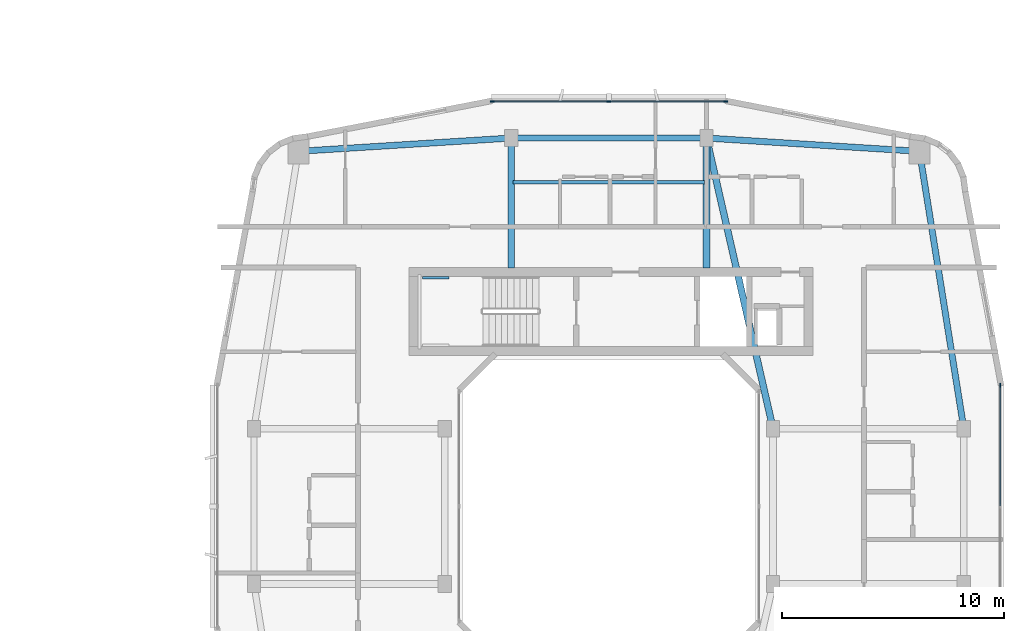
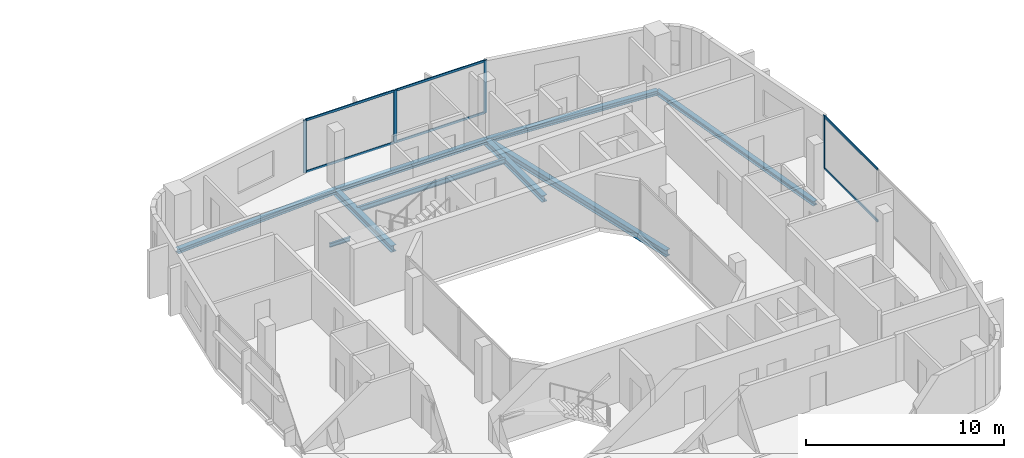
# One storey, part 9 of 26: 10 members, 9 beams, 2 elements without a shape of their own.
"""IFC4 building model written with IfcOpenShell, lengths in metres."""

import ifcopenshell
import ifcopenshell.guid

model = None  # the IFC model being written
_history = None  # IfcOwnerHistory: only IFC2X3 demands one
_inside = {}  # id of a spatial element -> (the spatial element, [elements in it])
_under = {}  # id of a project, library or spatial element -> (it, [spatial elements below it])
_declared = {}  # id of a project -> (the project, [libraries it declares])
_typed = {}  # id of a type object -> (the type object, [elements of that type])
_made_of = {}  # id of a material, layer set ... -> (it, [elements and type objects made of it])


def new_model(schema):
    """Start an empty IFC model of exactly this schema.

    Asked for "IFC4X3", IfcOpenShell would pick the latest addendum, in which some entities
    have other attributes; the version numbers below select the first issue.
    IFC2X3 requires an IfcOwnerHistory on every rooted entity: one is made here for all.
    """
    global model, _history
    if schema == "IFC4X3":
        model = ifcopenshell.file(schema_version=(4, 3, 0, 0))
    else:
        model = ifcopenshell.file(schema=schema)
    _inside.clear()
    _under.clear()
    _declared.clear()
    _typed.clear()
    _made_of.clear()
    _history = None
    if model.schema == "IFC2X3":
        org = make("IfcOrganization", Name="unknown")
        user = make(
            "IfcPersonAndOrganization",
            ThePerson=make("IfcPerson", FamilyName="unknown"),
            TheOrganization=org,
        )
        app = make(
            "IfcApplication",
            ApplicationDeveloper=org,
            Version="unknown",
            ApplicationFullName="unknown",
            ApplicationIdentifier="unknown",
        )
        _history = make(
            "IfcOwnerHistory",
            OwningUser=user,
            OwningApplication=app,
            ChangeAction="ADDED",
            CreationDate=0,
        )
    return model


def make(cls, **values):
    """One entity of the class cls with the attributes given. An attribute that is None is left unset."""
    return model.create_entity(
        cls, **{name: value for name, value in values.items() if value is not None}
    )


def rooted(cls, **values):
    """An entity with a GlobalId (a new one), such as an element, a storey or a relation."""
    return make(cls, GlobalId=ifcopenshell.guid.new(), OwnerHistory=_history, **values)


def si_unit(unit_type, name, prefix=None):
    """IfcSIUnit, for example si_unit("LENGTHUNIT", "METRE", prefix="MILLI")."""
    return make("IfcSIUnit", UnitType=unit_type, Prefix=prefix, Name=name)


def derived_unit(unit_type, elements):
    """IfcDerivedUnit: a product of units, each with its exponent."""
    return make(
        "IfcDerivedUnit",
        Elements=[
            make("IfcDerivedUnitElement", Unit=unit, Exponent=power)
            for unit, power in elements
        ],
        UnitType=unit_type,
    )


def assignment(units):
    """IfcUnitAssignment: the units of a project."""
    return None if units is None else make("IfcUnitAssignment", Units=units)


def point(xyz):
    """IfcCartesianPoint."""
    return None if xyz is None else make("IfcCartesianPoint", Coordinates=xyz)


def direction(xyz):
    """IfcDirection."""
    return None if xyz is None else make("IfcDirection", DirectionRatios=xyz)


def frame(location, z_axis=None, x_axis=None):
    """IfcAxis2Placement3D, a coordinate frame: its origin and axes. An axis left out is left unset."""
    return make(
        "IfcAxis2Placement3D",
        Location=point(location),
        Axis=direction(z_axis),
        RefDirection=direction(x_axis),
    )


def frame_2d(location, x_axis=None):
    """IfcAxis2Placement2D, a coordinate frame in the plane: its origin and x axis."""
    return make(
        "IfcAxis2Placement2D", Location=point(location), RefDirection=direction(x_axis)
    )


def origin():
    """The frame at (0, 0, 0) with its axes left unset."""
    return frame((0.0, 0.0, 0.0))


def origin_2d():
    """The frame at (0, 0) in the plane with its x axis left unset."""
    return frame_2d((0.0, 0.0))


def place(relative_to, where):
    """IfcLocalPlacement: puts the frame where relative to a parent placement (None: the world)."""
    return make(
        "IfcLocalPlacement", PlacementRelTo=relative_to, RelativePlacement=where
    )


def context(
    kind, dimensions, precision=None, world=None, true_north=None, identifier=None
):
    """IfcGeometricRepresentationContext, for example the 3D "Model" context."""
    return make(
        "IfcGeometricRepresentationContext",
        ContextIdentifier=identifier,
        ContextType=kind,
        CoordinateSpaceDimension=dimensions,
        Precision=precision,
        WorldCoordinateSystem=world,
        TrueNorth=true_north,
    )


def subcontext(parent, identifier, kind, view, scale=None):
    """IfcGeometricRepresentationSubContext, for example "Body" below "Model"."""
    return make(
        "IfcGeometricRepresentationSubContext",
        ContextIdentifier=identifier,
        ContextType=kind,
        ParentContext=parent,
        TargetScale=scale,
        TargetView=view,
    )


def project(units=None, contexts=None):
    """IfcProject with its units and contexts."""
    return rooted(
        "IfcProject",
        Name="project",
        RepresentationContexts=contexts,
        UnitsInContext=assignment(units),
    )


def spatial(cls, under=None, at=None, **own):
    """A site, building, storey or space (cls), placed at a placement, below another one or the project."""
    s = rooted(cls, ObjectPlacement=at, **own)
    if under is not None:
        _under.setdefault(under.id(), (under, []))[1].append(s)
    return s


def profile(cls, at=None, kind="AREA", **sizes):
    """A parametric profile (cls). Its sizes go by their IFC names, for example OverallWidth=200.0."""
    return make(cls, ProfileType=kind, Position=at, **sizes)


def rectangle(**sizes):
    """IfcRectangleProfileDef."""
    return profile("IfcRectangleProfileDef", **sizes)


def i_section(**sizes):
    """IfcIShapeProfileDef."""
    return profile("IfcIShapeProfileDef", **sizes)


def extrude(swept, where, along, depth):
    """IfcExtrudedAreaSolid: the profile swept, set in the frame where, extruded along a direction by depth."""
    return make(
        "IfcExtrudedAreaSolid",
        SweptArea=swept,
        Position=where,
        ExtrudedDirection=direction(along),
        Depth=depth,
    )


def shape(context_of_items, identifier, shape_type, items):
    """IfcShapeRepresentation: the items that make up one representation, for example the "Body"."""
    return make(
        "IfcShapeRepresentation",
        ContextOfItems=context_of_items,
        RepresentationIdentifier=identifier,
        RepresentationType=shape_type,
        Items=items,
    )


def material(Name=None, Category=None):
    """IfcMaterial."""
    return make("IfcMaterial", Name=Name, Category=Category)


def layer(
    of_material, thickness, ventilated=None, Name=None, Category=None, Priority=None
):
    """IfcMaterialLayer: one layer of a wall or slab, of a material (None: an air gap)."""
    return make(
        "IfcMaterialLayer",
        Material=of_material,
        LayerThickness=thickness,
        IsVentilated=ventilated,
        Name=Name,
        Category=Category,
        Priority=Priority,
    )


def layer_set(layers, Name=None):
    """IfcMaterialLayerSet."""
    return make("IfcMaterialLayerSet", MaterialLayers=layers, LayerSetName=Name)


def material_profile(
    of_material, cross_section, Name=None, Category=None, Priority=None
):
    """IfcMaterialProfile: a cross section and its material."""
    return make(
        "IfcMaterialProfile",
        Name=Name,
        Material=of_material,
        Profile=cross_section,
        Priority=Priority,
        Category=Category,
    )


def profile_set(profiles, Name=None, composite=None):
    """IfcMaterialProfileSet."""
    return make(
        "IfcMaterialProfileSet",
        Name=Name,
        MaterialProfiles=profiles,
        CompositeProfile=composite,
    )


def made_of(thing, what):
    """Note that an element or type object is made of a material, layer set ...; save() writes the relation."""
    if what is not None:
        _made_of.setdefault(what.id(), (what, []))[1].append(thing)
    return thing


def type_object(cls, material=None, **own):
    """A type object (cls), such as IfcWallType, which elements share."""
    return made_of(rooted(cls, **own), material)


def element(
    cls,
    number,
    at=None,
    inside=None,
    cuts=None,
    type_object=None,
    material=None,
    context=None,
    identifier="Body",
    shape_type=None,
    held_by="IfcProductDefinitionShape",
    body=None,
    shapes=None,
    **own,
):
    """One element of the class cls, such as IfcWall. Its Tag is "e" and its number.

    at: its placement. inside: the storey or other place that contains it. cuts: it is an
    opening in that element (IfcRelVoidsElement). A single representation is given by context,
    identifier, shape_type and body (its items); several are given by shapes. held_by: the class
    of the entity that holds the representations. save() writes the other relations.
    """
    e = rooted(cls, Tag="e%d" % number, ObjectPlacement=at, **own)
    if body is not None:
        shapes = [shape(context, identifier, shape_type, body)]
    if shapes is not None:
        e.Representation = make(held_by, Representations=shapes)
    if inside is not None:
        _inside.setdefault(inside.id(), (inside, []))[1].append(e)
    if cuts is not None:
        rooted(
            "IfcRelVoidsElement", RelatingBuildingElement=cuts, RelatedOpeningElement=e
        )
    if type_object is not None:
        _typed.setdefault(type_object.id(), (type_object, []))[1].append(e)
    return made_of(e, material)


def aggregate(whole, parts):
    """IfcRelAggregates: a whole, such as a stair, and the parts it consists of."""
    return rooted("IfcRelAggregates", RelatingObject=whole, RelatedObjects=parts)


def save(model, path):
    """Write the relations noted so far, then the file.

    IfcRelAggregates (storeys below a building ...), IfcRelContainedInSpatialStructure (elements
    in a storey), IfcRelDefinesByType, IfcRelAssociatesMaterial and IfcRelDeclares: one each for
    every whole, place, type object, material and project.
    """
    for whole, parts in _under.values():
        aggregate(whole, parts)
    for where, things in _inside.values():
        rooted(
            "IfcRelContainedInSpatialStructure",
            RelatedElements=things,
            RelatingStructure=where,
        )
    for kind, things in _typed.values():
        rooted("IfcRelDefinesByType", RelatedObjects=things, RelatingType=kind)
    for what, things in _made_of.values():
        rooted("IfcRelAssociatesMaterial", RelatedObjects=things, RelatingMaterial=what)
    for by, libraries in _declared.values():
        rooted("IfcRelDeclares", RelatingContext=by, RelatedDefinitions=libraries)
    model.write(path)


model = new_model("IFC4")

# Units and contexts
model_context = context("Model", 3, precision=1e-05, world=origin(), true_north=direction((0.0, 1.0)))
body_context = subcontext(model_context, "Body", "Model", "MODEL_VIEW")
ifc_project = project(units=[si_unit("LENGTHUNIT", "METRE"), si_unit("AREAUNIT", "SQUARE_METRE"), si_unit("VOLUMEUNIT", "CUBIC_METRE"), si_unit("PLANEANGLEUNIT", "RADIAN"), si_unit("MASSUNIT", "GRAM", prefix="KILO"), derived_unit("THERMALTRANSMITTANCEUNIT", [(si_unit("POWERUNIT", "WATT"), 1), (si_unit("LENGTHUNIT", "METRE"), -2), (si_unit("THERMODYNAMICTEMPERATUREUNIT", "KELVIN"), -1)])], contexts=[model_context])

# Site, building, storey
site_placement = place(None, origin())
site = spatial("IfcSite", under=ifc_project, at=site_placement, CompositionType="ELEMENT")
building_placement = place(site_placement, origin())
building = spatial("IfcBuilding", under=site, at=building_placement, Name="Kivonza Crest Hotel", CompositionType="ELEMENT")
storey_placement = place(building_placement, frame((0.0, 0.0, 95.0)))
storey = spatial("IfcBuildingStorey", under=building, at=storey_placement, Name="L25", CompositionType="ELEMENT", Elevation=95.0)

# Beams
ifc_material_1 = material(Name="Steel S355", Category="steel")
ifc_material_profile_1 = material_profile(ifc_material_1, i_section(OverallWidth=0.280029296875, OverallDepth=0.280029296875, WebThickness=0.010498046875, FlangeThickness=0.01806640625, FilletRadius=0.02392578125, at=origin_2d()), Name="HEB 280")
ifc_profile_set_1 = profile_set([ifc_material_profile_1], Name="Steel S355")
beam_type_1 = type_object("IfcBeamType", Name="BM-HEB280", PredefinedType="SPANDREL", material=ifc_profile_set_1)
beam_1_placement = place(storey_placement, frame((93.0, 28.5, -0.389892578125), z_axis=(-0.157990501107, 0.987440631917, 0.0), x_axis=(-0.987440631917, -0.157990501107, 0.0)))
element("IfcBeam", 1, at=beam_1_placement, inside=storey, type_object=beam_type_1, Name="Companion Tower T2 L25 perimeter spandrel E2-NE", PredefinedType="SPANDREL", context=body_context, shape_type="SweptSolid", body=[
    extrude(i_section(OverallWidth=0.280029296875, OverallDepth=0.280029296875, WebThickness=0.010498046875, FlangeThickness=0.01806640625, FilletRadius=0.02392578125, at=origin_2d()), origin(), (0.0, 0.0, 1.0), 12.658935546875),
])
beam_2_placement = place(storey_placement, frame((91.0, 41.0, -0.389892578125), z_axis=(-0.998051985873, 0.062387767186, 0.0), x_axis=(-0.062387767186, -0.998051985873, 0.0)))
element("IfcBeam", 2, at=beam_2_placement, inside=storey, type_object=beam_type_1, Name="Companion Tower T2 L25 perimeter spandrel NE-N2", PredefinedType="SPANDREL", context=body_context, shape_type="SweptSolid", body=[
    extrude(i_section(OverallWidth=0.280029296875, OverallDepth=0.280029296875, WebThickness=0.010498046875, FlangeThickness=0.01806640625, FilletRadius=0.02392578125, at=origin_2d()), origin(), (0.0, 0.0, 1.0), 9.618896484375),
])
beam_3_placement = place(storey_placement, frame((81.39990234375, 41.60009765625, -0.389892578125), z_axis=(-1.0, 0.0, 0.0), x_axis=(0.0, -1.0, 0.0)))
element("IfcBeam", 3, at=beam_3_placement, inside=storey, type_object=beam_type_1, Name="Companion Tower T2 L25 perimeter spandrel N2-N1", PredefinedType="SPANDREL", context=body_context, shape_type="SweptSolid", body=[
    extrude(i_section(OverallWidth=0.280029296875, OverallDepth=0.280029296875, WebThickness=0.010498046875, FlangeThickness=0.01806640625, FilletRadius=0.02392578125, at=origin_2d()), origin(), (0.0, 0.0, 1.0), 8.7998046875),
])
beam_4_placement = place(storey_placement, frame((72.60009765625, 41.60009765625, -0.389892578125), z_axis=(-0.998051985873, -0.062387767186, 0.0), x_axis=(0.062387767186, -0.998051985873, 0.0)))
element("IfcBeam", 4, at=beam_4_placement, inside=storey, type_object=beam_type_1, Name="Companion Tower T2 L25 perimeter spandrel N1-NW", PredefinedType="SPANDREL", context=body_context, shape_type="SweptSolid", body=[
    extrude(i_section(OverallWidth=0.280029296875, OverallDepth=0.280029296875, WebThickness=0.010498046875, FlangeThickness=0.01806640625, FilletRadius=0.02392578125, at=origin_2d()), origin(), (0.0, 0.0, 1.0), 9.618896484375),
])
ifc_material_profile_2 = material_profile(ifc_material_1, i_section(OverallWidth=0.300048828125, OverallDepth=0.39990234375, WebThickness=0.013427734375, FlangeThickness=0.02392578125, FilletRadius=0.027099609375, at=origin_2d()), Name="HEB 400")
ifc_profile_set_2 = profile_set([ifc_material_profile_2], Name="Steel S355")
beam_type_2 = type_object("IfcBeamType", Name="BM-HEB400", PredefinedType="BEAM", material=ifc_profile_set_2)
beam_5_placement = place(storey_placement, frame((84.39990234375, 28.5, -0.449951171875), z_axis=(-0.223227287589, 0.974766422317, 0.0), x_axis=(-0.974766422317, -0.223227287589, 0.0)))
element("IfcBeam", 5, at=beam_5_placement, inside=storey, type_object=beam_type_2, Name="Companion Tower T2 L25 girder WR2-N2", PredefinedType="BEAM", context=body_context, shape_type="SweptSolid", body=[
    extrude(i_section(OverallWidth=0.300048828125, OverallDepth=0.39990234375, WebThickness=0.013427734375, FlangeThickness=0.02392578125, FilletRadius=0.027099609375, at=origin_2d()), origin(), (0.0, 0.0, 1.0), 13.439208984375),
])
for number, where, z_axis, x_axis, name in (
    (6, (72.60009765625, 41.60009765625, -0.449951171875), (0.0, -1.0, 0.0), (1.0, 0.0, 0.0), "Companion T2 L25 radial core girder RN1"),
    (7, (81.39990234375, 41.60009765625, -0.449951171875), (0.0, -1.0, 0.0), (1.0, 0.0, 0.0), "Companion T2 L25 radial core girder RN2"),
):
    element("IfcBeam", number, at=place(storey_placement, frame(where, z_axis=z_axis, x_axis=x_axis)), inside=storey, type_object=beam_type_2, Name=name, PredefinedType="BEAM", context=body_context, shape_type="SweptSolid", body=[
        extrude(i_section(OverallWidth=0.300048828125, OverallDepth=0.39990234375, WebThickness=0.013427734375, FlangeThickness=0.02392578125, FilletRadius=0.027099609375, at=origin_2d()), origin(), (0.0, 0.0, 1.0), 5.85009765625),
    ])
ifc_material_profile_3 = material_profile(ifc_material_1, i_section(OverallWidth=0.14990234375, OverallDepth=0.300048828125, WebThickness=0.007080078125, FlangeThickness=0.0107421875, FilletRadius=0.014892578125, at=origin_2d()), Name="IPE 300")
ifc_profile_set_3 = profile_set([ifc_material_profile_3], Name="Steel S355")
beam_type_3 = type_object("IfcBeamType", Name="BM-IPE300", PredefinedType="JOIST", material=ifc_profile_set_3)
beam_6_placement = place(storey_placement, frame((72.679931640625, 39.60009765625, -0.39990234375), z_axis=(1.0, 0.0, 0.0), x_axis=(0.0, 1.0, 0.0)))
element("IfcBeam", 8, at=beam_6_placement, inside=storey, type_object=beam_type_3, Name="Companion Tower T2 L25 North floor joist", PredefinedType="JOIST", context=body_context, shape_type="SweptSolid", body=[
    extrude(i_section(OverallWidth=0.14990234375, OverallDepth=0.300048828125, WebThickness=0.007080078125, FlangeThickness=0.0107421875, FilletRadius=0.014892578125, at=origin_2d()), origin(), (0.0, 0.0, 1.0), 8.64013671875),
])
ifc_material_profile_4 = material_profile(ifc_material_1, i_section(OverallWidth=0.1201171875, OverallDepth=0.239990234375, WebThickness=0.006103515625, FlangeThickness=0.009765625, FilletRadius=0.014892578125, at=origin_2d()), Name="IPE 240")
ifc_profile_set_4 = profile_set([ifc_material_profile_4], Name="Steel S355")
beam_type_4 = type_object("IfcBeamType", Name="BM-LLDG-240", PredefinedType="BEAM", material=ifc_profile_set_4)
beam_7_placement = place(storey_placement, frame((68.590087890625, 35.300048828125, 1.429931640625), z_axis=(1.0, 0.0, 0.0), x_axis=(0.0, 1.0, 0.0)))
element("IfcBeam", 9, at=beam_7_placement, inside=storey, type_object=beam_type_4, Name="Stair ST-T2-N L25 North landing corbel", PredefinedType="BEAM", context=body_context, shape_type="SweptSolid", body=[
    extrude(i_section(OverallWidth=0.1201171875, OverallDepth=0.239990234375, WebThickness=0.006103515625, FlangeThickness=0.009765625, FilletRadius=0.014892578125, at=origin_2d()), origin(), (0.0, 0.0, 1.0), 1.2099609375),
])

# Curtain wall, member
ifc_material_2 = material(Name="Anodised bronze aluminium and low-E double glazing", Category="aluminium")
ifc_layer = layer(ifc_material_2, 0.179931640625)
ifc_layer_set = layer_set([ifc_layer], Name="Anodised bronze aluminium and low-E double glazing")
curtain_wall_type = type_object("IfcCurtainWallType", Name="CW-SYS-4", PredefinedType="NOTDEFINED", material=ifc_layer_set)
curtain_wall_1_placement = place(storey_placement, origin())
curtain_wall_1 = element("IfcCurtainWall", 10, at=curtain_wall_1_placement, inside=storey, type_object=curtain_wall_type, Name="L25 unitised curtain wall CW-T2-L25-17", PredefinedType="NOTDEFINED")
ifc_material_3 = material(Name="Anodised bronze aluminium", Category="aluminium")
ifc_material_profile_5 = material_profile(ifc_material_3, rectangle(XDim=0.06494140625, YDim=0.179931640625, at=origin_2d()), Name="CW-M 65x180")
ifc_profile_set_5 = profile_set([ifc_material_profile_5], Name="Anodised bronze aluminium")
member_type_1 = type_object("IfcMemberType", Name="CW-MUL-65x180", PredefinedType="MULLION", material=ifc_profile_set_5)
member_1_placement = place(storey_placement, frame((94.639892578125, 30.447509765625, 0.0), z_axis=(0.0, 0.0, 1.0), x_axis=(-1.0, 0.0, 0.0)))
member_1 = element("IfcMember", 11, at=member_1_placement, type_object=member_type_1, Name="CW-4 mullion 3", PredefinedType="MULLION", context=body_context, shape_type="SweptSolid", body=[
    extrude(rectangle(XDim=0.06494140625, YDim=0.179931640625, at=origin_2d()), origin(), (0.0, 0.0, 1.0), 3.25),
])

# Curtain wall, members
curtain_wall_2_placement = place(storey_placement, origin())
curtain_wall_2 = element("IfcCurtainWall", 12, at=curtain_wall_2_placement, inside=storey, type_object=curtain_wall_type, Name="L25 unitised curtain wall CW-T2-L25-26", PredefinedType="NOTDEFINED")
member_2_placement = place(storey_placement, frame((82.267578125, 43.239990234375, 0.0), z_axis=(0.0, 0.0, 1.0), x_axis=(0.0, -1.0, 0.0)))
member_2 = element("IfcMember", 13, at=member_2_placement, type_object=member_type_1, Name="CW-4 mullion 1", PredefinedType="MULLION", context=body_context, shape_type="SweptSolid", body=[
    extrude(rectangle(XDim=0.06494140625, YDim=0.179931640625, at=origin_2d()), origin(), (0.0, 0.0, 1.0), 3.25),
])
member_3_placement = place(storey_placement, frame((77.0, 43.239990234375, 0.0), z_axis=(0.0, 0.0, 1.0), x_axis=(0.0, -1.0, 0.0)))
member_3 = element("IfcMember", 14, at=member_3_placement, type_object=member_type_1, Name="CW-4 mullion 2", PredefinedType="MULLION", context=body_context, shape_type="SweptSolid", body=[
    extrude(rectangle(XDim=0.06494140625, YDim=0.179931640625, at=origin_2d()), origin(), (0.0, 0.0, 1.0), 3.25),
])
member_4_placement = place(storey_placement, frame((71.732421875, 43.239990234375, 0.0), z_axis=(0.0, 0.0, 1.0), x_axis=(0.0, -1.0, 0.0)))
member_4 = element("IfcMember", 15, at=member_4_placement, type_object=member_type_1, Name="CW-4 mullion 3", PredefinedType="MULLION", context=body_context, shape_type="SweptSolid", body=[
    extrude(rectangle(XDim=0.06494140625, YDim=0.179931640625, at=origin_2d()), origin(), (0.0, 0.0, 1.0), 3.25),
])

# Member
ifc_material_profile_6 = material_profile(ifc_material_3, rectangle(XDim=0.06494140625, YDim=0.139892578125, at=origin_2d()), Name="CW-T 65x140")
ifc_profile_set_6 = profile_set([ifc_material_profile_6], Name="Anodised bronze aluminium")
member_type_2 = type_object("IfcMemberType", Name="CW-TRN-65x140", PredefinedType="USERDEFINED", material=ifc_profile_set_6)
member_5_placement = place(storey_placement, frame((94.639892578125, 25.032470703125, 0.032470703125), z_axis=(0.0, 1.0, 0.0), x_axis=(-1.0, 0.0, 0.0)))
member_5 = element("IfcMember", 16, at=member_5_placement, type_object=member_type_2, Name="CW-4 transom 2.1", ObjectType="TRANSOM", PredefinedType="USERDEFINED", context=body_context, shape_type="SweptSolid", body=[
    extrude(rectangle(XDim=0.06494140625, YDim=0.139892578125, at=origin_2d()), origin(), (0.0, 0.0, 1.0), 5.382568359375),
])

member_6_placement = place(storey_placement, frame((94.639892578125, 25.032470703125, 3.217529296875), z_axis=(0.0, 1.0, 0.0), x_axis=(-1.0, 0.0, 0.0)))
member_6 = element("IfcMember", 17, at=member_6_placement, type_object=member_type_2, Name="CW-4 transom 2.2", ObjectType="TRANSOM", PredefinedType="USERDEFINED", context=body_context, shape_type="SweptSolid", body=[
    extrude(rectangle(XDim=0.06494140625, YDim=0.139892578125, at=origin_2d()), origin(), (0.0, 0.0, 1.0), 5.382568359375),
])

aggregate(curtain_wall_1, [member_1, member_5, member_6])

member_7_placement = place(storey_placement, frame((82.235107421875, 43.239990234375, 0.032470703125), z_axis=(-1.0, 0.0, 0.0), x_axis=(0.0, -1.0, 0.0)))
member_7 = element("IfcMember", 18, at=member_7_placement, type_object=member_type_2, Name="CW-4 transom 1.1", ObjectType="TRANSOM", PredefinedType="USERDEFINED", context=body_context, shape_type="SweptSolid", body=[
    extrude(rectangle(XDim=0.06494140625, YDim=0.139892578125, at=origin_2d()), origin(), (0.0, 0.0, 1.0), 5.20263671875),
])

member_8_placement = place(storey_placement, frame((82.235107421875, 43.239990234375, 3.217529296875), z_axis=(-1.0, 0.0, 0.0), x_axis=(0.0, -1.0, 0.0)))
member_8 = element("IfcMember", 19, at=member_8_placement, type_object=member_type_2, Name="CW-4 transom 1.2", ObjectType="TRANSOM", PredefinedType="USERDEFINED", context=body_context, shape_type="SweptSolid", body=[
    extrude(rectangle(XDim=0.06494140625, YDim=0.139892578125, at=origin_2d()), origin(), (0.0, 0.0, 1.0), 5.20263671875),
])

member_9_placement = place(storey_placement, frame((76.967529296875, 43.239990234375, 0.032470703125), z_axis=(-1.0, 0.0, 0.0), x_axis=(0.0, -1.0, 0.0)))
member_9 = element("IfcMember", 20, at=member_9_placement, type_object=member_type_2, Name="CW-4 transom 2.1", ObjectType="TRANSOM", PredefinedType="USERDEFINED", context=body_context, shape_type="SweptSolid", body=[
    extrude(rectangle(XDim=0.06494140625, YDim=0.139892578125, at=origin_2d()), origin(), (0.0, 0.0, 1.0), 5.20263671875),
])

member_10_placement = place(storey_placement, frame((76.967529296875, 43.239990234375, 3.217529296875), z_axis=(-1.0, 0.0, 0.0), x_axis=(0.0, -1.0, 0.0)))
member_10 = element("IfcMember", 21, at=member_10_placement, type_object=member_type_2, Name="CW-4 transom 2.2", ObjectType="TRANSOM", PredefinedType="USERDEFINED", context=body_context, shape_type="SweptSolid", body=[
    extrude(rectangle(XDim=0.06494140625, YDim=0.139892578125, at=origin_2d()), origin(), (0.0, 0.0, 1.0), 5.20263671875),
])

aggregate(curtain_wall_2, [member_2, member_3, member_4, member_7, member_8, member_9, member_10])

save(model, "model.ifc")
